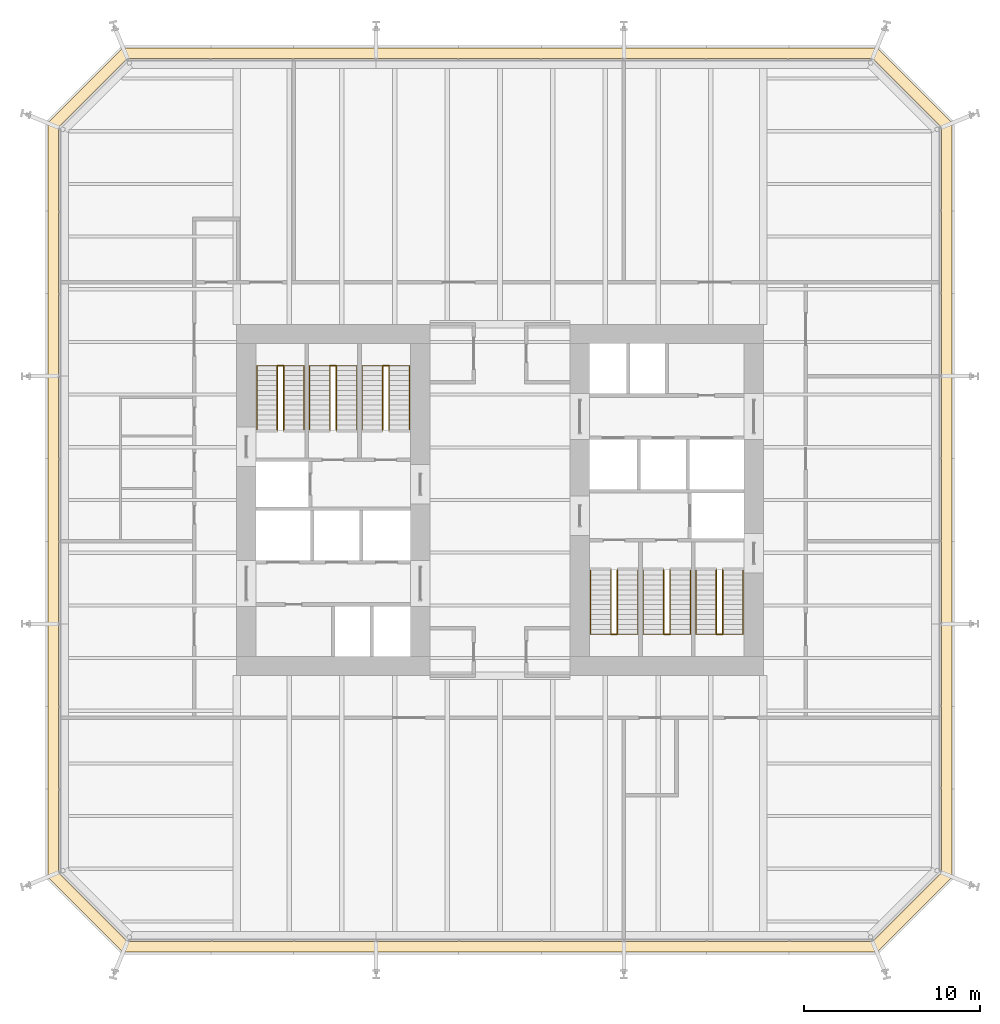
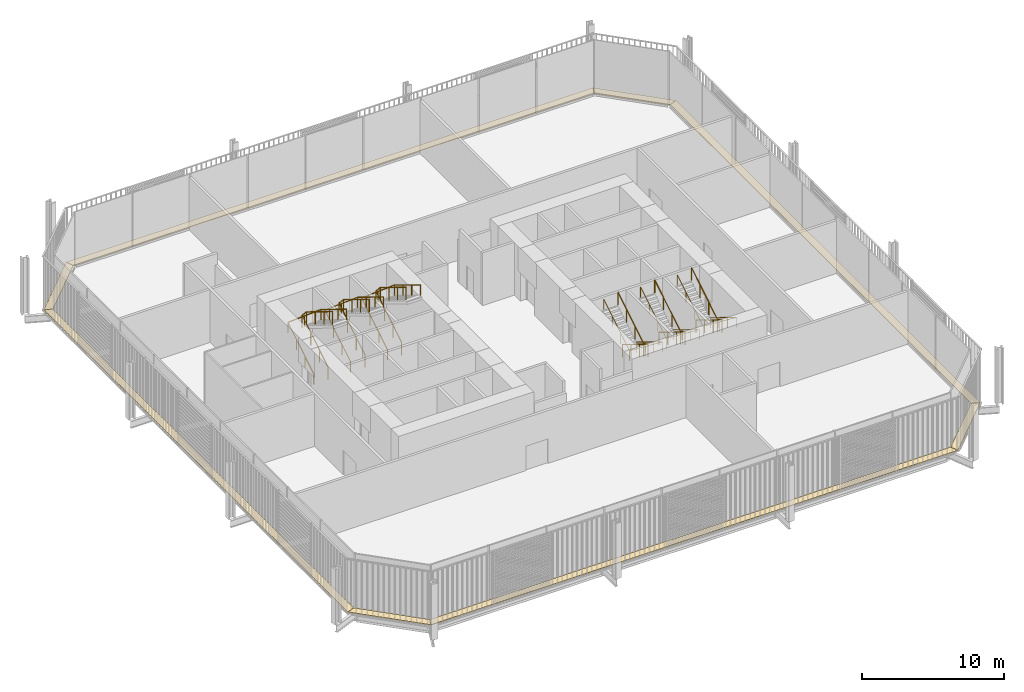
# One storey, part 22 of 22: 12 railings, 8 coverings.
"""IFC4 building model written with IfcOpenShell, lengths in metres."""

from ifc_helpers import new_model, si_unit, direction, frame, origin, origin_2d, place, context, subcontext, project, spatial, polyline, circle, outline, extrude, material, layer, layer_set, type_object, element, save


model = new_model("IFC4")

# Units and contexts
model_context = context("Model", 3, precision=1e-05, world=origin(), true_north=direction((0.0, 1.0)))
body_context = subcontext(model_context, "Body", "Model", "MODEL_VIEW")
ifc_project = project(units=[si_unit("LENGTHUNIT", "METRE"), si_unit("AREAUNIT", "SQUARE_METRE"), si_unit("VOLUMEUNIT", "CUBIC_METRE"), si_unit("PLANEANGLEUNIT", "RADIAN"), si_unit("MASSUNIT", "GRAM", prefix="KILO")], contexts=[model_context])

# Site, building, storey
site_placement = place(None, origin())
site = spatial("IfcSite", under=ifc_project, at=site_placement, CompositionType="ELEMENT")
building_placement = place(site_placement, origin())
building = spatial("IfcBuilding", under=site, at=building_placement, Name="Millrace Tower", CompositionType="ELEMENT")
storey_placement = place(building_placement, frame((0.0, 0.0, 59.300048828125)))
storey = spatial("IfcBuildingStorey", under=building, at=storey_placement, Name="L13", CompositionType="ELEMENT", Elevation=59.300048828125)

# Coverings
ifc_material_1 = material(Name="Steel ASTM A36", Category="steel")
ifc_layer = layer(ifc_material_1, 0.050048828125)
ifc_layer_set = layer_set([ifc_layer], Name="Steel ASTM A36")
covering_type = type_object("IfcCoveringType", Name="CAVITY CATWALK steel grating", PredefinedType="FLOORING", material=ifc_layer_set)
placement = place(storey_placement, frame((0.0, 0.0, 0.099853515625)))
element("IfcCovering", 1, at=placement, inside=storey, type_object=covering_type, Name="Cavity catwalk grating A-F01 L13 1", PredefinedType="FLOORING", context=body_context, shape_type="SweptSolid", body=[
    extrude(outline(polyline([(-25.75, -21.460693359375), (-21.460693359375, -25.75), (-21.212158203125, -25.14990234375), (-25.14990234375, -21.212158203125), (-25.75, -21.460693359375)])), origin(), (0.0, 0.0, 1.0), 0.050048828125),
])
element("IfcCovering", 2, at=placement, inside=storey, type_object=covering_type, Name="Cavity catwalk grating A-F02 L13 1", PredefinedType="FLOORING", context=body_context, shape_type="SweptSolid", body=[
    extrude(outline(polyline([(-21.460693359375, -25.75), (21.460693359375, -25.75), (21.212158203125, -25.14990234375), (-21.212158203125, -25.14990234375), (-21.460693359375, -25.75)])), origin(), (0.0, 0.0, 1.0), 0.050048828125),
])
element("IfcCovering", 3, at=placement, inside=storey, type_object=covering_type, Name="Cavity catwalk grating A-F03 L13 1", PredefinedType="FLOORING", context=body_context, shape_type="SweptSolid", body=[
    extrude(outline(polyline([(21.460693359375, -25.75), (25.75, -21.460693359375), (25.14990234375, -21.212158203125), (21.212158203125, -25.14990234375), (21.460693359375, -25.75)])), origin(), (0.0, 0.0, 1.0), 0.050048828125),
])
element("IfcCovering", 4, at=placement, inside=storey, type_object=covering_type, Name="Cavity catwalk grating A-F04 L13 1", PredefinedType="FLOORING", context=body_context, shape_type="SweptSolid", body=[
    extrude(outline(polyline([(25.75, -21.460693359375), (25.75, 21.460693359375), (25.14990234375, 21.212158203125), (25.14990234375, -21.212158203125), (25.75, -21.460693359375)])), origin(), (0.0, 0.0, 1.0), 0.050048828125),
])
element("IfcCovering", 5, at=placement, inside=storey, type_object=covering_type, Name="Cavity catwalk grating A-F05 L13 1", PredefinedType="FLOORING", context=body_context, shape_type="SweptSolid", body=[
    extrude(outline(polyline([(25.75, 21.460693359375), (21.460693359375, 25.75), (21.212158203125, 25.14990234375), (25.14990234375, 21.212158203125), (25.75, 21.460693359375)])), origin(), (0.0, 0.0, 1.0), 0.050048828125),
])
element("IfcCovering", 6, at=placement, inside=storey, type_object=covering_type, Name="Cavity catwalk grating A-F06 L13 1", PredefinedType="FLOORING", context=body_context, shape_type="SweptSolid", body=[
    extrude(outline(polyline([(21.460693359375, 25.75), (-21.460693359375, 25.75), (-21.212158203125, 25.14990234375), (21.212158203125, 25.14990234375), (21.460693359375, 25.75)])), origin(), (0.0, 0.0, 1.0), 0.050048828125),
])
element("IfcCovering", 7, at=placement, inside=storey, type_object=covering_type, Name="Cavity catwalk grating A-F07 L13 1", PredefinedType="FLOORING", context=body_context, shape_type="SweptSolid", body=[
    extrude(outline(polyline([(-21.460693359375, 25.75), (-25.75, 21.460693359375), (-25.14990234375, 21.212158203125), (-21.212158203125, 25.14990234375), (-21.460693359375, 25.75)])), origin(), (0.0, 0.0, 1.0), 0.050048828125),
])
element("IfcCovering", 8, at=placement, inside=storey, type_object=covering_type, Name="Cavity catwalk grating A-F08 L13 1", PredefinedType="FLOORING", context=body_context, shape_type="SweptSolid", body=[
    extrude(outline(polyline([(-25.75, 21.460693359375), (-25.75, -21.460693359375), (-25.14990234375, -21.212158203125), (-25.14990234375, 21.212158203125), (-25.75, 21.460693359375)])), origin(), (0.0, 0.0, 1.0), 0.050048828125),
])

# Railings
ifc_material_2 = material(Name="Stainless steel ASTM A240 type 316", Category="steel")
railing_type_1 = type_object("IfcRailingType", Name="Stair guard 1100", PredefinedType="GUARDRAIL", material=ifc_material_2)
for number, where, name in (
    (9, (-12.679931640625, 4.0, 0.17138671875), "Stair guard 1 W L13"),
    (10, (-9.679931640625, 4.0, 0.17138671875), "Stair guard 2 W L13"),
    (11, (-6.679931640625, 4.0, 0.17138671875), "Stair guard 3 W L13"),
):
    element("IfcRailing", number, at=place(storey_placement, frame(where)), inside=storey, type_object=railing_type_1, Name=name, PredefinedType="GUARDRAIL", context=body_context, shape_type="SweptSolid", body=[
        extrude(circle(Radius=0.02392578125, at=origin_2d()), frame((0.0, 0.0, 1.076171875), z_axis=(0.0, 0.852850264322, 0.5221555579), x_axis=(-1.0, 0.0, 0.0)), (0.0, 0.0, 1.0), 4.267822265625),
        extrude(circle(Radius=0.02392578125, at=origin_2d()), frame((0.0, 3.639892578125, 3.3046875), z_axis=(0.902837873996, 0.0, 0.429981131306), x_axis=(0.0, 1.0, 0.0)), (0.0, 0.0, 1.0), 0.398681640625),
        extrude(circle(Radius=0.02392578125, at=origin_2d()), frame((0.35986328125, 3.639892578125, 3.47607421875), z_axis=(0.0, -0.852824790078, 0.522197163366), x_axis=(1.0, 0.0, 0.0)), (0.0, 0.0, 1.0), 4.26806640625),
        extrude(circle(Radius=0.02099609375, at=origin_2d()), origin(), (0.0, 0.0, 1.0), 1.052001953125),
        extrude(circle(Radius=0.02099609375, at=origin_2d()), frame((0.0, 1.21337890625, 0.742919921875)), (0.0, 0.0, 1.0), 1.052001953125),
        extrude(circle(Radius=0.02099609375, at=origin_2d()), frame((0.0, 2.426513671875, 1.485595703125)), (0.0, 0.0, 1.0), 1.052001953125),
        extrude(circle(Radius=0.02099609375, at=origin_2d()), frame((0.0, 3.639892578125, 2.228515625)), (0.0, 0.0, 1.0), 1.052001953125),
        extrude(circle(Radius=0.02099609375, at=origin_2d()), frame((0.35986328125, 3.639892578125, 2.39990234375)), (0.0, 0.0, 1.0), 1.052001953125),
        extrude(circle(Radius=0.02099609375, at=origin_2d()), frame((0.35986328125, 2.426513671875, 3.142822265625)), (0.0, 0.0, 1.0), 1.052001953125),
        extrude(circle(Radius=0.02099609375, at=origin_2d()), frame((0.35986328125, 1.21337890625, 3.8857421875)), (0.0, 0.0, 1.0), 1.052001953125),
        extrude(circle(Radius=0.02099609375, at=origin_2d()), frame((0.35986328125, 0.0, 4.628662109375)), (0.0, 0.0, 1.0), 1.052001953125),
    ])
for number, where, name in (
    (12, (12.679931640625, -4.0, 0.17138671875), "Stair guard 1 E L13"),
    (13, (9.679931640625, -4.0, 0.17138671875), "Stair guard 2 E L13"),
    (14, (6.679931640625, -4.0, 0.17138671875), "Stair guard 3 E L13"),
):
    element("IfcRailing", number, at=place(storey_placement, frame(where)), inside=storey, type_object=railing_type_1, Name=name, PredefinedType="GUARDRAIL", context=body_context, shape_type="SweptSolid", body=[
        extrude(circle(Radius=0.02392578125, at=origin_2d()), frame((0.0, 0.0, 1.076171875), z_axis=(0.0, -0.852850264322, 0.5221555579), x_axis=(1.0, 0.0, 0.0)), (0.0, 0.0, 1.0), 4.267822265625),
        extrude(circle(Radius=0.02392578125, at=origin_2d()), frame((0.0, -3.639892578125, 3.3046875), z_axis=(-0.902837873996, 0.0, 0.429981131306), x_axis=(0.0, -1.0, 0.0)), (0.0, 0.0, 1.0), 0.398681640625),
        extrude(circle(Radius=0.02392578125, at=origin_2d()), frame((-0.35986328125, -3.639892578125, 3.47607421875), z_axis=(0.0, 0.852824790078, 0.522197163366), x_axis=(-1.0, 0.0, 0.0)), (0.0, 0.0, 1.0), 4.26806640625),
        extrude(circle(Radius=0.02099609375, at=origin_2d()), origin(), (0.0, 0.0, 1.0), 1.052001953125),
        extrude(circle(Radius=0.02099609375, at=origin_2d()), frame((0.0, -1.21337890625, 0.742919921875)), (0.0, 0.0, 1.0), 1.052001953125),
        extrude(circle(Radius=0.02099609375, at=origin_2d()), frame((0.0, -2.426513671875, 1.485595703125)), (0.0, 0.0, 1.0), 1.052001953125),
        extrude(circle(Radius=0.02099609375, at=origin_2d()), frame((0.0, -3.639892578125, 2.228515625)), (0.0, 0.0, 1.0), 1.052001953125),
        extrude(circle(Radius=0.02099609375, at=origin_2d()), frame((-0.35986328125, -3.639892578125, 2.39990234375)), (0.0, 0.0, 1.0), 1.052001953125),
        extrude(circle(Radius=0.02099609375, at=origin_2d()), frame((-0.35986328125, -2.426513671875, 3.142822265625)), (0.0, 0.0, 1.0), 1.052001953125),
        extrude(circle(Radius=0.02099609375, at=origin_2d()), frame((-0.35986328125, -1.21337890625, 3.8857421875)), (0.0, 0.0, 1.0), 1.052001953125),
        extrude(circle(Radius=0.02099609375, at=origin_2d()), frame((-0.35986328125, 0.0, 4.628662109375)), (0.0, 0.0, 1.0), 1.052001953125),
    ])
ifc_material_3 = material(Name="Stainless steel ASTM A240 type 316", Category="steel")
railing_type_2 = type_object("IfcRailingType", Name="Stair handrail 900", PredefinedType="HANDRAIL", material=ifc_material_3)
railing_1_placement = place(storey_placement, frame((-13.840087890625, 4.0, 0.17138671875)))
element("IfcRailing", 15, at=railing_1_placement, inside=storey, type_object=railing_type_2, Name="Stair handrail 1 W L13", PredefinedType="HANDRAIL", context=body_context, shape_type="SweptSolid", body=[
    extrude(circle(Radius=0.02392578125, at=origin_2d()), frame((0.0, 0.0, 0.8759765625), z_axis=(0.0, 0.852850264322, 0.5221555579), x_axis=(-1.0, 0.0, 0.0)), (0.0, 0.0, 1.0), 4.267822265625),
    extrude(circle(Radius=0.02392578125, at=origin_2d()), frame((0.0, 3.639892578125, 3.1044921875), z_axis=(0.9979616988, 0.0, 0.063815732607), x_axis=(0.0, 1.0, 0.0)), (0.0, 0.0, 1.0), 2.685546875),
    extrude(circle(Radius=0.02392578125, at=origin_2d()), frame((2.68017578125, 3.639892578125, 3.27587890625), z_axis=(0.0, -0.852824790078, 0.522197163366), x_axis=(1.0, 0.0, 0.0)), (0.0, 0.0, 1.0), 4.26806640625),
    extrude(circle(Radius=0.02099609375, at=origin_2d()), origin(), (0.0, 0.0, 1.0), 0.851806640625),
    extrude(circle(Radius=0.02099609375, at=origin_2d()), frame((0.0, 1.21337890625, 0.742919921875)), (0.0, 0.0, 1.0), 0.851806640625),
    extrude(circle(Radius=0.02099609375, at=origin_2d()), frame((0.0, 2.426513671875, 1.485595703125)), (0.0, 0.0, 1.0), 0.851806640625),
    extrude(circle(Radius=0.02099609375, at=origin_2d()), frame((0.0, 3.639892578125, 2.228515625)), (0.0, 0.0, 1.0), 0.851806640625),
    extrude(circle(Radius=0.02099609375, at=origin_2d()), frame((1.340087890625, 3.639892578125, 2.314208984375)), (0.0, 0.0, 1.0), 0.851806640625),
    extrude(circle(Radius=0.02099609375, at=origin_2d()), frame((2.68017578125, 3.639892578125, 2.39990234375)), (0.0, 0.0, 1.0), 0.851806640625),
    extrude(circle(Radius=0.02099609375, at=origin_2d()), frame((2.68017578125, 2.426513671875, 3.142822265625)), (0.0, 0.0, 1.0), 0.851806640625),
    extrude(circle(Radius=0.02099609375, at=origin_2d()), frame((2.68017578125, 1.21337890625, 3.8857421875)), (0.0, 0.0, 1.0), 0.851806640625),
    extrude(circle(Radius=0.02099609375, at=origin_2d()), frame((2.68017578125, 0.0, 4.628662109375)), (0.0, 0.0, 1.0), 0.851806640625),
])
railing_2_placement = place(storey_placement, frame((-10.840087890625, 4.0, 0.17138671875)))
element("IfcRailing", 16, at=railing_2_placement, inside=storey, type_object=railing_type_2, Name="Stair handrail 2 W L13", PredefinedType="HANDRAIL", context=body_context, shape_type="SweptSolid", body=[
    extrude(circle(Radius=0.02392578125, at=origin_2d()), frame((0.0, 0.0, 0.8759765625), z_axis=(0.0, 0.852850264322, 0.5221555579), x_axis=(-1.0, 0.0, 0.0)), (0.0, 0.0, 1.0), 4.267822265625),
    extrude(circle(Radius=0.02392578125, at=origin_2d()), frame((0.0, 3.639892578125, 3.1044921875), z_axis=(0.9979616988, 0.0, 0.063815732607), x_axis=(0.0, 1.0, 0.0)), (0.0, 0.0, 1.0), 2.685546875),
    extrude(circle(Radius=0.02392578125, at=origin_2d()), frame((2.68017578125, 3.639892578125, 3.27587890625), z_axis=(0.0, -0.852824790078, 0.522197163366), x_axis=(1.0, 0.0, 0.0)), (0.0, 0.0, 1.0), 4.26806640625),
    extrude(circle(Radius=0.02099609375, at=origin_2d()), origin(), (0.0, 0.0, 1.0), 0.851806640625),
    extrude(circle(Radius=0.02099609375, at=origin_2d()), frame((0.0, 1.21337890625, 0.742919921875)), (0.0, 0.0, 1.0), 0.851806640625),
    extrude(circle(Radius=0.02099609375, at=origin_2d()), frame((0.0, 2.426513671875, 1.485595703125)), (0.0, 0.0, 1.0), 0.851806640625),
    extrude(circle(Radius=0.02099609375, at=origin_2d()), frame((0.0, 3.639892578125, 2.228515625)), (0.0, 0.0, 1.0), 0.851806640625),
    extrude(circle(Radius=0.02099609375, at=origin_2d()), frame((1.340087890625, 3.639892578125, 2.314208984375)), (0.0, 0.0, 1.0), 0.851806640625),
    extrude(circle(Radius=0.02099609375, at=origin_2d()), frame((2.68017578125, 3.639892578125, 2.39990234375)), (0.0, 0.0, 1.0), 0.851806640625),
    extrude(circle(Radius=0.02099609375, at=origin_2d()), frame((2.68017578125, 2.426513671875, 3.142822265625)), (0.0, 0.0, 1.0), 0.851806640625),
    extrude(circle(Radius=0.02099609375, at=origin_2d()), frame((2.68017578125, 1.21337890625, 3.8857421875)), (0.0, 0.0, 1.0), 0.851806640625),
    extrude(circle(Radius=0.02099609375, at=origin_2d()), frame((2.68017578125, 0.0, 4.628662109375)), (0.0, 0.0, 1.0), 0.851806640625),
])
railing_3_placement = place(storey_placement, frame((-7.840087890625, 4.0, 0.17138671875)))
element("IfcRailing", 17, at=railing_3_placement, inside=storey, type_object=railing_type_2, Name="Stair handrail 3 W L13", PredefinedType="HANDRAIL", context=body_context, shape_type="SweptSolid", body=[
    extrude(circle(Radius=0.02392578125, at=origin_2d()), frame((0.0, 0.0, 0.8759765625), z_axis=(0.0, 0.852850264322, 0.5221555579), x_axis=(-1.0, 0.0, 0.0)), (0.0, 0.0, 1.0), 4.267822265625),
    extrude(circle(Radius=0.02392578125, at=origin_2d()), frame((0.0, 3.639892578125, 3.1044921875), z_axis=(0.9979616988, 0.0, 0.063815732607), x_axis=(0.0, 1.0, 0.0)), (0.0, 0.0, 1.0), 2.685546875),
    extrude(circle(Radius=0.02392578125, at=origin_2d()), frame((2.68017578125, 3.639892578125, 3.27587890625), z_axis=(0.0, -0.852824790078, 0.522197163366), x_axis=(1.0, 0.0, 0.0)), (0.0, 0.0, 1.0), 4.26806640625),
    extrude(circle(Radius=0.02099609375, at=origin_2d()), origin(), (0.0, 0.0, 1.0), 0.851806640625),
    extrude(circle(Radius=0.02099609375, at=origin_2d()), frame((0.0, 1.21337890625, 0.742919921875)), (0.0, 0.0, 1.0), 0.851806640625),
    extrude(circle(Radius=0.02099609375, at=origin_2d()), frame((0.0, 2.426513671875, 1.485595703125)), (0.0, 0.0, 1.0), 0.851806640625),
    extrude(circle(Radius=0.02099609375, at=origin_2d()), frame((0.0, 3.639892578125, 2.228515625)), (0.0, 0.0, 1.0), 0.851806640625),
    extrude(circle(Radius=0.02099609375, at=origin_2d()), frame((1.340087890625, 3.639892578125, 2.314208984375)), (0.0, 0.0, 1.0), 0.851806640625),
    extrude(circle(Radius=0.02099609375, at=origin_2d()), frame((2.68017578125, 3.639892578125, 2.39990234375)), (0.0, 0.0, 1.0), 0.851806640625),
    extrude(circle(Radius=0.02099609375, at=origin_2d()), frame((2.68017578125, 2.426513671875, 3.142822265625)), (0.0, 0.0, 1.0), 0.851806640625),
    extrude(circle(Radius=0.02099609375, at=origin_2d()), frame((2.68017578125, 1.21337890625, 3.8857421875)), (0.0, 0.0, 1.0), 0.851806640625),
    extrude(circle(Radius=0.02099609375, at=origin_2d()), frame((2.68017578125, 0.0, 4.628662109375)), (0.0, 0.0, 1.0), 0.851806640625),
])
railing_4_placement = place(storey_placement, frame((13.840087890625, -4.0, 0.17138671875)))
element("IfcRailing", 18, at=railing_4_placement, inside=storey, type_object=railing_type_2, Name="Stair handrail 1 E L13", PredefinedType="HANDRAIL", context=body_context, shape_type="SweptSolid", body=[
    extrude(circle(Radius=0.02392578125, at=origin_2d()), frame((0.0, 0.0, 0.8759765625), z_axis=(0.0, -0.852850264322, 0.5221555579), x_axis=(1.0, 0.0, 0.0)), (0.0, 0.0, 1.0), 4.267822265625),
    extrude(circle(Radius=0.02392578125, at=origin_2d()), frame((0.0, -3.639892578125, 3.1044921875), z_axis=(-0.9979616988, 0.0, 0.063815732607), x_axis=(0.0, -1.0, 0.0)), (0.0, 0.0, 1.0), 2.685546875),
    extrude(circle(Radius=0.02392578125, at=origin_2d()), frame((-2.68017578125, -3.639892578125, 3.27587890625), z_axis=(0.0, 0.852824790078, 0.522197163366), x_axis=(-1.0, 0.0, 0.0)), (0.0, 0.0, 1.0), 4.26806640625),
    extrude(circle(Radius=0.02099609375, at=origin_2d()), origin(), (0.0, 0.0, 1.0), 0.851806640625),
    extrude(circle(Radius=0.02099609375, at=origin_2d()), frame((0.0, -1.21337890625, 0.742919921875)), (0.0, 0.0, 1.0), 0.851806640625),
    extrude(circle(Radius=0.02099609375, at=origin_2d()), frame((0.0, -2.426513671875, 1.485595703125)), (0.0, 0.0, 1.0), 0.851806640625),
    extrude(circle(Radius=0.02099609375, at=origin_2d()), frame((0.0, -3.639892578125, 2.228515625)), (0.0, 0.0, 1.0), 0.851806640625),
    extrude(circle(Radius=0.02099609375, at=origin_2d()), frame((-1.340087890625, -3.639892578125, 2.314208984375)), (0.0, 0.0, 1.0), 0.851806640625),
    extrude(circle(Radius=0.02099609375, at=origin_2d()), frame((-2.68017578125, -3.639892578125, 2.39990234375)), (0.0, 0.0, 1.0), 0.851806640625),
    extrude(circle(Radius=0.02099609375, at=origin_2d()), frame((-2.68017578125, -2.426513671875, 3.142822265625)), (0.0, 0.0, 1.0), 0.851806640625),
    extrude(circle(Radius=0.02099609375, at=origin_2d()), frame((-2.68017578125, -1.21337890625, 3.8857421875)), (0.0, 0.0, 1.0), 0.851806640625),
    extrude(circle(Radius=0.02099609375, at=origin_2d()), frame((-2.68017578125, 0.0, 4.628662109375)), (0.0, 0.0, 1.0), 0.851806640625),
])
railing_5_placement = place(storey_placement, frame((10.840087890625, -4.0, 0.17138671875)))
element("IfcRailing", 19, at=railing_5_placement, inside=storey, type_object=railing_type_2, Name="Stair handrail 2 E L13", PredefinedType="HANDRAIL", context=body_context, shape_type="SweptSolid", body=[
    extrude(circle(Radius=0.02392578125, at=origin_2d()), frame((0.0, 0.0, 0.8759765625), z_axis=(0.0, -0.852850264322, 0.5221555579), x_axis=(1.0, 0.0, 0.0)), (0.0, 0.0, 1.0), 4.267822265625),
    extrude(circle(Radius=0.02392578125, at=origin_2d()), frame((0.0, -3.639892578125, 3.1044921875), z_axis=(-0.9979616988, 0.0, 0.063815732607), x_axis=(0.0, -1.0, 0.0)), (0.0, 0.0, 1.0), 2.685546875),
    extrude(circle(Radius=0.02392578125, at=origin_2d()), frame((-2.68017578125, -3.639892578125, 3.27587890625), z_axis=(0.0, 0.852824790078, 0.522197163366), x_axis=(-1.0, 0.0, 0.0)), (0.0, 0.0, 1.0), 4.26806640625),
    extrude(circle(Radius=0.02099609375, at=origin_2d()), origin(), (0.0, 0.0, 1.0), 0.851806640625),
    extrude(circle(Radius=0.02099609375, at=origin_2d()), frame((0.0, -1.21337890625, 0.742919921875)), (0.0, 0.0, 1.0), 0.851806640625),
    extrude(circle(Radius=0.02099609375, at=origin_2d()), frame((0.0, -2.426513671875, 1.485595703125)), (0.0, 0.0, 1.0), 0.851806640625),
    extrude(circle(Radius=0.02099609375, at=origin_2d()), frame((0.0, -3.639892578125, 2.228515625)), (0.0, 0.0, 1.0), 0.851806640625),
    extrude(circle(Radius=0.02099609375, at=origin_2d()), frame((-1.340087890625, -3.639892578125, 2.314208984375)), (0.0, 0.0, 1.0), 0.851806640625),
    extrude(circle(Radius=0.02099609375, at=origin_2d()), frame((-2.68017578125, -3.639892578125, 2.39990234375)), (0.0, 0.0, 1.0), 0.851806640625),
    extrude(circle(Radius=0.02099609375, at=origin_2d()), frame((-2.68017578125, -2.426513671875, 3.142822265625)), (0.0, 0.0, 1.0), 0.851806640625),
    extrude(circle(Radius=0.02099609375, at=origin_2d()), frame((-2.68017578125, -1.21337890625, 3.8857421875)), (0.0, 0.0, 1.0), 0.851806640625),
    extrude(circle(Radius=0.02099609375, at=origin_2d()), frame((-2.68017578125, 0.0, 4.628662109375)), (0.0, 0.0, 1.0), 0.851806640625),
])
railing_6_placement = place(storey_placement, frame((7.840087890625, -4.0, 0.17138671875)))
element("IfcRailing", 20, at=railing_6_placement, inside=storey, type_object=railing_type_2, Name="Stair handrail 3 E L13", PredefinedType="HANDRAIL", context=body_context, shape_type="SweptSolid", body=[
    extrude(circle(Radius=0.02392578125, at=origin_2d()), frame((0.0, 0.0, 0.8759765625), z_axis=(0.0, -0.852850264322, 0.5221555579), x_axis=(1.0, 0.0, 0.0)), (0.0, 0.0, 1.0), 4.267822265625),
    extrude(circle(Radius=0.02392578125, at=origin_2d()), frame((0.0, -3.639892578125, 3.1044921875), z_axis=(-0.9979616988, 0.0, 0.063815732607), x_axis=(0.0, -1.0, 0.0)), (0.0, 0.0, 1.0), 2.685546875),
    extrude(circle(Radius=0.02392578125, at=origin_2d()), frame((-2.68017578125, -3.639892578125, 3.27587890625), z_axis=(0.0, 0.852824790078, 0.522197163366), x_axis=(-1.0, 0.0, 0.0)), (0.0, 0.0, 1.0), 4.26806640625),
    extrude(circle(Radius=0.02099609375, at=origin_2d()), origin(), (0.0, 0.0, 1.0), 0.851806640625),
    extrude(circle(Radius=0.02099609375, at=origin_2d()), frame((0.0, -1.21337890625, 0.742919921875)), (0.0, 0.0, 1.0), 0.851806640625),
    extrude(circle(Radius=0.02099609375, at=origin_2d()), frame((0.0, -2.426513671875, 1.485595703125)), (0.0, 0.0, 1.0), 0.851806640625),
    extrude(circle(Radius=0.02099609375, at=origin_2d()), frame((0.0, -3.639892578125, 2.228515625)), (0.0, 0.0, 1.0), 0.851806640625),
    extrude(circle(Radius=0.02099609375, at=origin_2d()), frame((-1.340087890625, -3.639892578125, 2.314208984375)), (0.0, 0.0, 1.0), 0.851806640625),
    extrude(circle(Radius=0.02099609375, at=origin_2d()), frame((-2.68017578125, -3.639892578125, 2.39990234375)), (0.0, 0.0, 1.0), 0.851806640625),
    extrude(circle(Radius=0.02099609375, at=origin_2d()), frame((-2.68017578125, -2.426513671875, 3.142822265625)), (0.0, 0.0, 1.0), 0.851806640625),
    extrude(circle(Radius=0.02099609375, at=origin_2d()), frame((-2.68017578125, -1.21337890625, 3.8857421875)), (0.0, 0.0, 1.0), 0.851806640625),
    extrude(circle(Radius=0.02099609375, at=origin_2d()), frame((-2.68017578125, 0.0, 4.628662109375)), (0.0, 0.0, 1.0), 0.851806640625),
])

save(model, "model.ifc")
